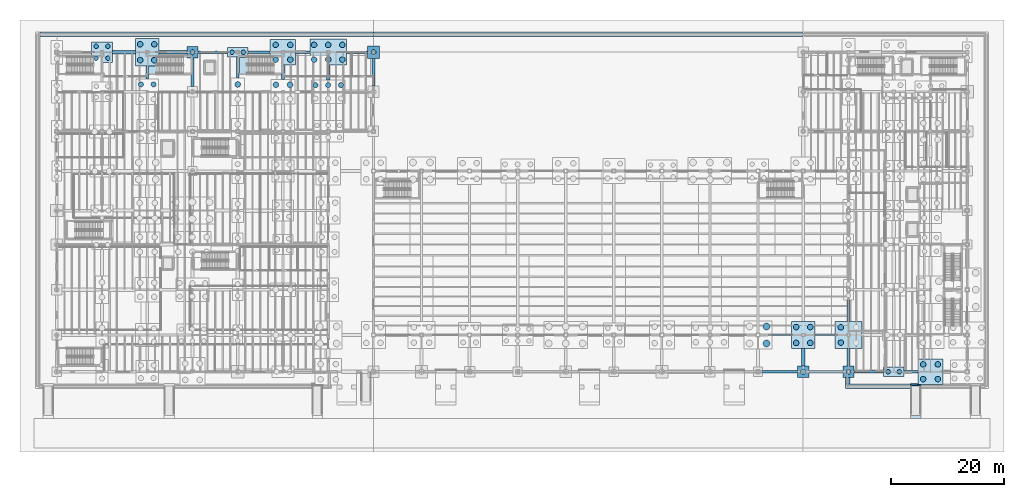
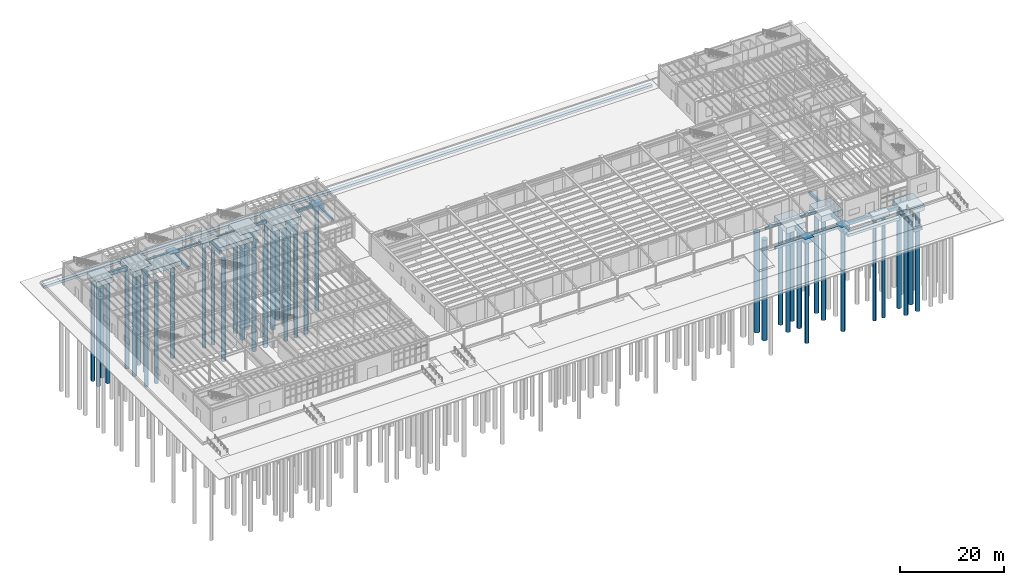
# One storey, part 7 of 86: 46 piles, 42 footings.
"""IFC4 building model written with IfcOpenShell, lengths in metres."""

from ifc_helpers import new_model, si_unit, direction, frame, origin, origin_2d, place, context, subcontext, project, spatial, polyline, rectangle, circle, outline, extrude, material, material_profile, profile_set, type_object, element, save


model = new_model("IFC4")

# Units and contexts
model_context = context("Model", 3, precision=1e-05, world=origin(), true_north=direction((0.0, 1.0)))
body_context = subcontext(model_context, "Body", "Model", "MODEL_VIEW")
ifc_project = project(units=[si_unit("LENGTHUNIT", "METRE"), si_unit("AREAUNIT", "SQUARE_METRE"), si_unit("VOLUMEUNIT", "CUBIC_METRE"), si_unit("PLANEANGLEUNIT", "RADIAN"), si_unit("MASSUNIT", "GRAM", prefix="KILO"), si_unit("THERMODYNAMICTEMPERATUREUNIT", "KELVIN"), si_unit("POWERUNIT", "WATT")], contexts=[model_context])

# Site, building, storey
site_placement = place(None, origin())
site = spatial("IfcSite", under=ifc_project, at=site_placement, CompositionType="ELEMENT")
building_placement = place(site_placement, origin())
building = spatial("IfcBuilding", under=site, at=building_placement, Name="Zhenchuan Central Fire Station", CompositionType="ELEMENT")
storey_placement = place(building_placement, frame((0.0, 0.0, 0.449951171875)))
storey = spatial("IfcBuildingStorey", under=building, at=storey_placement, Name="L01", CompositionType="ELEMENT", Elevation=0.449951171875)

# Footings
ifc_material_1 = material(Name="Concrete C35/45", Category="concrete")
footing_type_1 = type_object("IfcFootingType", Name="FB-380x550", PredefinedType="FOOTING_BEAM", material=ifc_material_1)
footing_1_placement = place(storey_placement, frame((0.0, 0.0, -1.0)))
element("IfcFooting", 1, at=footing_1_placement, inside=storey, type_object=footing_type_1, Name="Foundation Tie Beam FB-X-036", PredefinedType="FOOTING_BEAM", context=body_context, shape_type="SweptSolid", body=[
    extrude(outline(polyline([(126.449951171875, 6.31005859375), (129.89990234375, 6.31005859375), (129.89990234375, 6.68994140625), (126.449951171875, 6.68994140625), (126.449951171875, 6.31005859375)])), origin(), (0.0, 0.0, 1.0), 0.550048828125),
])
footing_2_placement = place(storey_placement, frame((0.0, 0.0, -1.0)))
element("IfcFooting", 2, at=footing_2_placement, inside=storey, type_object=footing_type_1, Name="Foundation Tie Beam FB-X-113", PredefinedType="FOOTING_BEAM", context=body_context, shape_type="SweptSolid", body=[
    extrude(outline(polyline([(25.0, 56.31005859375), (30.199951171875, 56.31005859375), (30.199951171875, 56.68994140625), (25.0, 56.68994140625), (25.0, 56.31005859375)])), origin(), (0.0, 0.0, 1.0), 0.550048828125),
])
footing_type_2 = type_object("IfcFootingType", Name="FB-400x600", PredefinedType="FOOTING_BEAM", material=ifc_material_1)
footing_3_placement = place(storey_placement, frame((0.0, 0.0, -1.050048828125)))
element("IfcFooting", 3, at=footing_3_placement, inside=storey, type_object=footing_type_2, Name="Foundation Tie Beam FB-X-016", PredefinedType="FOOTING_BEAM", context=body_context, shape_type="SweptSolid", body=[
    extrude(outline(polyline([(124.800048828125, -0.199951171875), (131.0, -0.199951171875), (131.0, 0.199951171875), (124.800048828125, 0.199951171875), (124.800048828125, -0.199951171875)])), origin(), (0.0, 0.0, 1.0), 0.60009765625),
])
footing_4_placement = place(storey_placement, frame((0.0, 0.0, -1.050048828125)))
element("IfcFooting", 4, at=footing_4_placement, inside=storey, type_object=footing_type_2, Name="Foundation Tie Beam FB-X-037", PredefinedType="FOOTING_BEAM", context=body_context, shape_type="SweptSolid", body=[
    extrude(outline(polyline([(134.10009765625, 6.300048828125), (137.64990234375, 6.300048828125), (137.64990234375, 6.699951171875), (134.10009765625, 6.699951171875), (134.10009765625, 6.300048828125)])), origin(), (0.0, 0.0, 1.0), 0.60009765625),
])
footing_5_placement = place(storey_placement, frame((0.0, 0.0, -1.050048828125)))
element("IfcFooting", 5, at=footing_5_placement, inside=storey, type_object=footing_type_2, Name="Foundation Tie Beam FB-X-114", PredefinedType="FOOTING_BEAM", context=body_context, shape_type="SweptSolid", body=[
    extrude(outline(polyline([(33.800048828125, 56.300048828125), (37.75, 56.300048828125), (37.75, 56.699951171875), (33.800048828125, 56.699951171875), (33.800048828125, 56.300048828125)])), origin(), (0.0, 0.0, 1.0), 0.60009765625),
])
footing_type_3 = type_object("IfcFootingType", Name="FB-450x650", PredefinedType="FOOTING_BEAM", material=ifc_material_1)
footing_6_placement = place(storey_placement, frame((0.0, 0.0, -1.099853515625)))
element("IfcFooting", 6, at=footing_6_placement, inside=storey, type_object=footing_type_3, Name="Foundation Tie Beam FB-X-017", PredefinedType="FOOTING_BEAM", context=body_context, shape_type="SweptSolid", body=[
    extrude(outline(polyline([(133.0, -0.22509765625), (139.0, -0.22509765625), (139.0, 0.22509765625), (133.0, 0.22509765625), (133.0, -0.22509765625)])), origin(), (0.0, 0.0, 1.0), 0.64990234375),
])
footing_7_placement = place(storey_placement, frame((0.0, 0.0, -1.099853515625)))
element("IfcFooting", 7, at=footing_7_placement, inside=storey, type_object=footing_type_3, Name="Foundation Tie Beam FB-X-115", PredefinedType="FOOTING_BEAM", context=body_context, shape_type="SweptSolid", body=[
    extrude(outline(polyline([(42.25, 56.27490234375), (44.75, 56.27490234375), (44.75, 56.72509765625), (42.25, 56.72509765625), (42.25, 56.27490234375)])), origin(), (0.0, 0.0, 1.0), 0.64990234375),
])
footing_8_placement = place(storey_placement, frame((0.0, 0.0, -1.099853515625)))
element("IfcFooting", 8, at=footing_8_placement, inside=storey, type_object=footing_type_3, Name="Foundation Tie Beam FB-Y-143", PredefinedType="FOOTING_BEAM", context=body_context, shape_type="SweptSolid", body=[
    extrude(outline(polyline([(15.77490234375, 51.75), (16.22509765625, 51.75), (16.22509765625, 54.10009765625), (15.77490234375, 54.10009765625), (15.77490234375, 51.75)])), origin(), (0.0, 0.0, 1.0), 0.64990234375),
])
footing_9_placement = place(storey_placement, frame((0.0, 0.0, -1.099853515625)))
element("IfcFooting", 9, at=footing_9_placement, inside=storey, type_object=footing_type_3, Name="Foundation Tie Beam FB-Y-192", PredefinedType="FOOTING_BEAM", context=body_context, shape_type="SweptSolid", body=[
    extrude(outline(polyline([(139.77490234375, 1.0), (140.22509765625, 1.0), (140.22509765625, 4.14990234375), (139.77490234375, 4.14990234375), (139.77490234375, 1.0)])), origin(), (0.0, 0.0, 1.0), 0.64990234375),
])
footing_type_4 = type_object("IfcFootingType", Name="FB-500x700", PredefinedType="FOOTING_BEAM", material=ifc_material_1)
footing_10_placement = place(storey_placement, frame((0.0, 0.0, -1.14990234375)))
element("IfcFooting", 10, at=footing_10_placement, inside=storey, type_object=footing_type_4, Name="Foundation Tie Beam FB-X-018", PredefinedType="FOOTING_BEAM", context=body_context, shape_type="SweptSolid", body=[
    extrude(outline(polyline([(141.0, -0.25), (146.199951171875, -0.25), (146.199951171875, 0.25), (141.0, 0.25), (141.0, -0.25)])), origin(), (0.0, 0.0, 1.0), 0.699951171875),
])
footing_11_placement = place(storey_placement, frame((0.0, 0.0, -1.14990234375)))
element("IfcFooting", 11, at=footing_11_placement, inside=storey, type_object=footing_type_4, Name="Foundation Tie Beam FB-X-116", PredefinedType="FOOTING_BEAM", context=body_context, shape_type="SweptSolid", body=[
    extrude(outline(polyline([(51.25, 56.25), (54.925048828125, 56.25), (54.925048828125, 56.75), (51.25, 56.75), (51.25, 56.25)])), origin(), (0.0, 0.0, 1.0), 0.699951171875),
])
footing_12_placement = place(storey_placement, frame((0.0, 0.0, -1.14990234375)))
element("IfcFooting", 12, at=footing_12_placement, inside=storey, type_object=footing_type_4, Name="Foundation Tie Beam FB-Y-151", PredefinedType="FOOTING_BEAM", context=body_context, shape_type="SweptSolid", body=[
    extrude(outline(polyline([(23.75, 50.425048828125), (24.25, 50.425048828125), (24.25, 55.5), (23.75, 55.5), (23.75, 50.425048828125)])), origin(), (0.0, 0.0, 1.0), 0.699951171875),
])
footing_13_placement = place(storey_placement, frame((0.0, 0.0, -1.14990234375)))
element("IfcFooting", 13, at=footing_13_placement, inside=storey, type_object=footing_type_4, Name="Foundation Tie Beam FB-Y-179", PredefinedType="FOOTING_BEAM", context=body_context, shape_type="SweptSolid", body=[
    extrude(outline(polyline([(55.75, 50.5), (56.25, 50.5), (56.25, 55.425048828125), (55.75, 55.425048828125), (55.75, 50.5)])), origin(), (0.0, 0.0, 1.0), 0.699951171875),
])
footing_14_placement = place(storey_placement, frame((0.0, 0.0, -1.14990234375)))
element("IfcFooting", 14, at=footing_14_placement, inside=storey, type_object=footing_type_4, Name="Foundation Tie Beam FB-Y-193", PredefinedType="FOOTING_BEAM", context=body_context, shape_type="SweptSolid", body=[
    extrude(outline(polyline([(139.75, 8.85009765625), (140.25, 8.85009765625), (140.25, 12.699951171875), (139.75, 12.699951171875), (139.75, 8.85009765625)])), origin(), (0.0, 0.0, 1.0), 0.699951171875),
])
footing_type_5 = type_object("IfcFootingType", Name="FB-500x800", PredefinedType="FOOTING_BEAM", material=ifc_material_1)
footing_15_placement = place(storey_placement, frame((0.0, 0.0, -1.25)))
element("IfcFooting", 15, at=footing_15_placement, inside=storey, type_object=footing_type_5, Name="Foundation Tie Beam FB-X-019", PredefinedType="FOOTING_BEAM", context=body_context, shape_type="SweptSolid", body=[
    extrude(outline(polyline([(149.800048828125, -0.25), (152.25, -0.25), (152.25, 0.25), (149.800048828125, 0.25), (149.800048828125, -0.25)])), origin(), (0.0, 0.0, 1.0), 0.800048828125),
])
footing_16_placement = place(storey_placement, frame((0.0, 0.0, -1.25)))
element("IfcFooting", 16, at=footing_16_placement, inside=storey, type_object=footing_type_5, Name="Foundation Tie Beam FB-Y-159", PredefinedType="FOOTING_BEAM", context=body_context, shape_type="SweptSolid", body=[
    extrude(outline(polyline([(31.75, 51.89990234375), (32.25, 51.89990234375), (32.25, 55.625), (31.75, 55.625), (31.75, 51.89990234375)])), origin(), (0.0, 0.0, 1.0), 0.800048828125),
])
footing_type_6 = type_object("IfcFootingType", Name="FB-550x850", PredefinedType="FOOTING_BEAM", material=ifc_material_1)
footing_17_placement = place(storey_placement, frame((0.0, 0.0, -1.300048828125)))
element("IfcFooting", 17, at=footing_17_placement, inside=storey, type_object=footing_type_6, Name="Foundation Tie Beam FB-X-111", PredefinedType="FOOTING_BEAM", context=body_context, shape_type="SweptSolid", body=[
    extrude(outline(polyline([(9.85009765625, 56.22509765625), (13.89990234375, 56.22509765625), (13.89990234375, 56.77490234375), (9.85009765625, 56.77490234375), (9.85009765625, 56.22509765625)])), origin(), (0.0, 0.0, 1.0), 0.85009765625),
])
footing_18_placement = place(storey_placement, frame((0.0, 0.0, -1.300048828125)))
element("IfcFooting", 18, at=footing_18_placement, inside=storey, type_object=footing_type_6, Name="Foundation Tie Beam FB-Y-167", PredefinedType="FOOTING_BEAM", context=body_context, shape_type="SweptSolid", body=[
    extrude(outline(polyline([(39.72509765625, 51.64990234375), (40.27490234375, 51.64990234375), (40.27490234375, 54.25), (39.72509765625, 54.25), (39.72509765625, 51.64990234375)])), origin(), (0.0, 0.0, 1.0), 0.85009765625),
])
footing_19_placement = place(storey_placement, frame((0.0, 0.0, -1.300048828125)))
element("IfcFooting", 19, at=footing_19_placement, inside=storey, type_object=footing_type_6, Name="Foundation Tie Beam FB-Y-188", PredefinedType="FOOTING_BEAM", context=body_context, shape_type="SweptSolid", body=[
    extrude(outline(polyline([(131.72509765625, 1.0), (132.27490234375, 1.0), (132.27490234375, 4.10009765625), (131.72509765625, 4.10009765625), (131.72509765625, 1.0)])), origin(), (0.0, 0.0, 1.0), 0.85009765625),
])
footing_type_7 = type_object("IfcFootingType", Name="FB-600x900", PredefinedType="FOOTING_BEAM", material=ifc_material_1)
footing_20_placement = place(storey_placement, frame((0.0, 0.0, -1.349853515625)))
element("IfcFooting", 20, at=footing_20_placement, inside=storey, type_object=footing_type_7, Name="Foundation Tie Beam FB-X-112", PredefinedType="FOOTING_BEAM", context=body_context, shape_type="SweptSolid", body=[
    extrude(outline(polyline([(18.10009765625, 56.199951171875), (23.0, 56.199951171875), (23.0, 56.800048828125), (18.10009765625, 56.800048828125), (18.10009765625, 56.199951171875)])), origin(), (0.0, 0.0, 1.0), 0.89990234375),
])
footing_21_placement = place(storey_placement, frame((0.0, 0.0, -1.349853515625)))
element("IfcFooting", 21, at=footing_21_placement, inside=storey, type_object=footing_type_7, Name="Foundation Tie Beam FB-Y-175", PredefinedType="FOOTING_BEAM", context=body_context, shape_type="SweptSolid", body=[
    extrude(outline(polyline([(47.699951171875, 51.60009765625), (48.300048828125, 51.60009765625), (48.300048828125, 54.199951171875), (47.699951171875, 54.199951171875), (47.699951171875, 51.60009765625)])), origin(), (0.0, 0.0, 1.0), 0.89990234375),
])
ifc_material_2 = material(Name="Concrete C40/50", Category="concrete")
footing_type_8 = type_object("IfcFootingType", Name="PAD-CORE", PredefinedType="PAD_FOOTING", material=ifc_material_2)
footing_22_placement = place(storey_placement, frame((0.0, 0.0, -1.300048828125)))
element("IfcFooting", 22, at=footing_22_placement, inside=storey, type_object=footing_type_8, Name="ST-06 Core Foundation Mat Footing", PredefinedType="PAD_FOOTING", context=body_context, shape_type="SweptSolid", body=[
    extrude(outline(polyline([(22.9599609375, 55.925048828125), (22.9599609375, 55.4599609375), (23.7099609375, 55.4599609375), (23.7099609375, 52.574951171875), (16.264892578125, 52.574951171875), (16.264892578125, 54.06005859375), (18.139892578125, 54.06005859375), (18.139892578125, 55.925048828125), (22.9599609375, 55.925048828125)])), origin(), (0.0, 0.0, 1.0), 1.050048828125),
])
footing_23_placement = place(storey_placement, frame((0.0, 0.0, -1.300048828125)))
element("IfcFooting", 23, at=footing_23_placement, inside=storey, type_object=footing_type_8, Name="ST-07 Core Foundation Mat Footing", PredefinedType="PAD_FOOTING", context=body_context, shape_type="SweptSolid", body=[
    extrude(outline(polyline([(37.7099609375, 55.925048828125), (37.7099609375, 54.2099609375), (39.68505859375, 54.2099609375), (39.68505859375, 52.574951171875), (32.2900390625, 52.574951171875), (32.2900390625, 55.5849609375), (33.840087890625, 55.5849609375), (33.840087890625, 55.925048828125), (37.7099609375, 55.925048828125)])), origin(), (0.0, 0.0, 1.0), 1.050048828125),
])
footing_type_9 = type_object("IfcFootingType", Name="PAD-RMP", PredefinedType="PAD_FOOTING", material=ifc_material_1)
footing_24_placement = place(storey_placement, frame((151.89990234375, -8.010009765625, -1.31005859375), z_axis=(0.0, 0.0, 1.0), x_axis=(1.0, 0.0, 0.0)))
element("IfcFooting", 24, at=footing_24_placement, inside=storey, type_object=footing_type_9, Name="Headquarters Accessible Wheelchair Ramp RP-03 Toe Pad Footing", PredefinedType="PAD_FOOTING", context=body_context, shape_type="SweptSolid", body=[
    extrude(rectangle(XDim=1.800048828125, YDim=0.580078125, at=origin_2d()), origin(), (0.0, 0.0, 1.0), 0.60009765625),
])
footing_25_placement = place(storey_placement, frame((0.0, 0.0, -0.849853515625)))
element("IfcFooting", 25, at=footing_25_placement, inside=storey, type_object=footing_type_9, Name="Headquarters Accessible Wheelchair Ramp RP-03 Head Pedestal Footing", PredefinedType="PAD_FOOTING", context=body_context, shape_type="SweptSolid", body=[
    extrude(outline(polyline([(152.800048828125, -2.47998046875), (151.0, -2.47998046875), (151.0, -2.080078125), (152.219970703125, -2.080078125), (152.219970703125, -2.280029296875), (152.800048828125, -2.280029296875), (152.800048828125, -2.47998046875)])), origin(), (0.0, 0.0, 1.0), 0.669921875),
])
footing_type_10 = type_object("IfcFootingType", Name="PC-04", PredefinedType="PILE_CAP", material=ifc_material_2)
for number, where, z_axis, x_axis, name in (
    (26, (24.0, 56.5, -1.550048828125), (0.0, 0.0, 1.0), (1.0, 0.0, 0.0), "Pile Cap PC-04 at (24.0,56.5)"),
    (27, (132.0, 0.0, -1.550048828125), (0.0, 0.0, 1.0), (1.0, 0.0, 0.0), "Pile Cap PC-04 at (132.0,0.0)"),
    (28, (140.0, 0.0, -1.550048828125), (0.0, 0.0, 1.0), (1.0, 0.0, 0.0), "Pile Cap PC-04 at (140.0,0.0)"),
):
    element("IfcFooting", number, at=place(storey_placement, frame(where, z_axis=z_axis, x_axis=x_axis)), inside=storey, type_object=footing_type_10, Name=name, PredefinedType="PILE_CAP", context=body_context, shape_type="SweptSolid", body=[
        extrude(rectangle(XDim=2.0, YDim=2.0, at=origin_2d()), origin(), (0.0, 0.0, 1.0), 1.10009765625),
    ])
footing_type_11 = type_object("IfcFootingType", Name="PC-05", PredefinedType="PILE_CAP", material=ifc_material_2)
footing_26_placement = place(storey_placement, frame((56.0, 56.5, -1.570068359375), z_axis=(0.0, 0.0, 1.0), x_axis=(1.0, 0.0, 0.0)))
element("IfcFooting", 29, at=footing_26_placement, inside=storey, type_object=footing_type_11, Name="Pile Cap PC-05 at (56.0,56.5)", PredefinedType="PILE_CAP", context=body_context, shape_type="SweptSolid", body=[
    extrude(rectangle(XDim=2.14990234375, YDim=2.14990234375, at=origin_2d()), origin(), (0.0, 0.0, 1.0), 1.1201171875),
])
footing_type_12 = type_object("IfcFootingType", Name="PC-13", PredefinedType="PILE_CAP", material=ifc_material_2)
for number, where, z_axis, x_axis, name in (
    (30, (32.0, 56.5, -1.550048828125), (0.0, 0.0, 1.0), (1.0, 0.0, 0.0), "Pile Cap PC-13 at (32.0,56.5)"),
    (31, (148.0, 0.0, -1.550048828125), (0.0, 0.0, 1.0), (1.0, 0.0, 0.0), "Pile Cap PC-13 at (148.0,0.0)"),
):
    element("IfcFooting", number, at=place(storey_placement, frame(where, z_axis=z_axis, x_axis=x_axis)), inside=storey, type_object=footing_type_12, Name=name, PredefinedType="PILE_CAP", context=body_context, shape_type="SweptSolid", body=[
        extrude(rectangle(XDim=3.60009765625, YDim=1.75, at=origin_2d()), origin(), (0.0, 0.0, 1.0), 1.10009765625),
    ])
footing_type_13 = type_object("IfcFootingType", Name="PC-18", PredefinedType="PILE_CAP", material=ifc_material_2)
footing_27_placement = place(storey_placement, frame((8.0, 56.5, -1.64990234375), z_axis=(0.0, 0.0, 1.0), x_axis=(1.0, 0.0, 0.0)))
element("IfcFooting", 32, at=footing_27_placement, inside=storey, type_object=footing_type_13, Name="Pile Cap PC-18 at (8.0,56.5)", PredefinedType="PILE_CAP", context=body_context, shape_type="SweptSolid", body=[
    extrude(rectangle(XDim=3.699951171875, YDim=3.699951171875, at=origin_2d()), origin(), (0.0, 0.0, 1.0), 1.199951171875),
])
footing_type_14 = type_object("IfcFootingType", Name="PC-22", PredefinedType="PILE_CAP", material=ifc_material_2)
for number, where, z_axis, x_axis, name in (
    (33, (40.0, 56.5, -1.849853515625), (0.0, 0.0, 1.0), (1.0, 0.0, 0.0), "Pile Cap PC-22 at (40.0,56.5)"),
    (34, (154.5, 0.0, -1.849853515625), (0.0, 0.0, 1.0), (1.0, 0.0, 0.0), "Pile Cap PC-22 at (154.5,0.0)"),
):
    element("IfcFooting", number, at=place(storey_placement, frame(where, z_axis=z_axis, x_axis=x_axis)), inside=storey, type_object=footing_type_14, Name=name, PredefinedType="PILE_CAP", context=body_context, shape_type="SweptSolid", body=[
        extrude(rectangle(XDim=4.5, YDim=4.5, at=origin_2d()), origin(), (0.0, 0.0, 1.0), 1.39990234375),
    ])
footing_type_15 = type_object("IfcFootingType", Name="PC-23", PredefinedType="PILE_CAP", material=ifc_material_2)
footing_28_placement = place(storey_placement, frame((140.0, 6.5, -1.89990234375), z_axis=(0.0, 0.0, 1.0), x_axis=(1.0, 0.0, 0.0)))
element("IfcFooting", 35, at=footing_28_placement, inside=storey, type_object=footing_type_15, Name="Pile Cap PC-23 at (140.0,6.5)", PredefinedType="PILE_CAP", context=body_context, shape_type="SweptSolid", body=[
    extrude(rectangle(XDim=4.699951171875, YDim=4.699951171875, at=origin_2d()), origin(), (0.0, 0.0, 1.0), 1.449951171875),
])
footing_type_16 = type_object("IfcFootingType", Name="PC-27", PredefinedType="PILE_CAP", material=ifc_material_2)
for number, where, z_axis, x_axis, name in (
    (36, (16.0, 56.5, -1.800048828125), (0.0, 0.0, 1.0), (1.0, 0.0, 0.0), "Pile Cap PC-27 at (16.0,56.5)"),
    (37, (132.0, 6.5, -1.800048828125), (0.0, 0.0, 1.0), (1.0, 0.0, 0.0), "Pile Cap PC-27 at (132.0,6.5)"),
):
    element("IfcFooting", number, at=place(storey_placement, frame(where, z_axis=z_axis, x_axis=x_axis)), inside=storey, type_object=footing_type_16, Name=name, PredefinedType="PILE_CAP", context=body_context, shape_type="SweptSolid", body=[
        extrude(rectangle(XDim=4.199951171875, YDim=4.800048828125, at=origin_2d()), origin(), (0.0, 0.0, 1.0), 1.35009765625),
    ])
footing_type_17 = type_object("IfcFootingType", Name="PC-31", PredefinedType="PILE_CAP", material=ifc_material_2)
footing_29_placement = place(storey_placement, frame((48.0, 56.5, -1.949951171875), z_axis=(0.0, 0.0, 1.0), x_axis=(1.0, 0.0, 0.0)))
element("IfcFooting", 38, at=footing_29_placement, inside=storey, type_object=footing_type_17, Name="Pile Cap PC-31 at (48.0,56.5)", PredefinedType="PILE_CAP", context=body_context, shape_type="SweptSolid", body=[
    extrude(rectangle(XDim=6.5, YDim=4.60009765625, at=origin_2d()), origin(), (0.0, 0.0, 1.0), 1.5),
])

# Piles
ifc_material_profile_1 = material_profile(ifc_material_1, circle(Radius=0.5, at=origin_2d()), Name="PILE D1000")
ifc_profile_set_1 = profile_set([ifc_material_profile_1], Name="Concrete C35/45")
pile_type_1 = type_object("IfcPileType", Name="PILE-D1000", PredefinedType="BORED", material=ifc_profile_set_1)
for number, where, z_axis, x_axis, name in (
    (39, (14.75, 55.10009765625, -1.699951171875), (0.0, 0.0, -1.0), (1.0, 0.0, 0.0), "Bored Pile 027-1"),
    (40, (17.25, 55.10009765625, -1.699951171875), (0.0, 0.0, -1.0), (1.0, 0.0, 0.0), "Bored Pile 027-2"),
    (41, (14.75, 57.89990234375, -1.699951171875), (0.0, 0.0, -1.0), (1.0, 0.0, 0.0), "Bored Pile 027-3"),
    (42, (17.25, 57.89990234375, -1.699951171875), (0.0, 0.0, -1.0), (1.0, 0.0, 0.0), "Bored Pile 027-4"),
):
    element("IfcPile", number, at=place(storey_placement, frame(where, z_axis=z_axis, x_axis=x_axis)), inside=storey, type_object=pile_type_1, Name=name, PredefinedType="BORED", context=body_context, shape_type="SweptSolid", body=[
        extrude(circle(Radius=0.5, at=origin_2d()), origin(), (0.0, 0.0, 1.0), 23.75),
    ])
pile_1_placement = place(storey_placement, frame((32.0, 50.800048828125, -1.669921875), z_axis=(0.0, 0.0, -1.0), x_axis=(1.0, 0.0, 0.0)))
element("IfcPile", 43, at=pile_1_placement, inside=storey, type_object=pile_type_1, Name="Bored Pile 044-2", PredefinedType="BORED", context=body_context, shape_type="SweptSolid", body=[
    extrude(circle(Radius=0.5, at=origin_2d()), origin(), (0.0, 0.0, 1.0), 23.780029296875),
])
for number, where, z_axis, x_axis, name in (
    (44, (38.75, 50.75, -1.699951171875), (0.0, 0.0, -1.0), (1.0, 0.0, 0.0), "Bored Pile 053-3"),
    (45, (41.25, 50.75, -1.699951171875), (0.0, 0.0, -1.0), (1.0, 0.0, 0.0), "Bored Pile 053-4"),
):
    element("IfcPile", number, at=place(storey_placement, frame(where, z_axis=z_axis, x_axis=x_axis)), inside=storey, type_object=pile_type_1, Name=name, PredefinedType="BORED", context=body_context, shape_type="SweptSolid", body=[
        extrude(circle(Radius=0.5, at=origin_2d()), origin(), (0.0, 0.0, 1.0), 23.75),
    ])
for number, where, z_axis, x_axis, name in (
    (46, (38.699951171875, 55.199951171875, -1.75), (0.0, 0.0, -1.0), (1.0, 0.0, 0.0), "Bored Pile 054-1"),
    (47, (41.300048828125, 55.199951171875, -1.75), (0.0, 0.0, -1.0), (1.0, 0.0, 0.0), "Bored Pile 054-2"),
    (48, (38.699951171875, 57.800048828125, -1.75), (0.0, 0.0, -1.0), (1.0, 0.0, 0.0), "Bored Pile 054-3"),
    (49, (41.300048828125, 57.800048828125, -1.75), (0.0, 0.0, -1.0), (1.0, 0.0, 0.0), "Bored Pile 054-4"),
):
    element("IfcPile", number, at=place(storey_placement, frame(where, z_axis=z_axis, x_axis=x_axis)), inside=storey, type_object=pile_type_1, Name=name, PredefinedType="BORED", context=body_context, shape_type="SweptSolid", body=[
        extrude(circle(Radius=0.5, at=origin_2d()), origin(), (0.0, 0.0, 1.0), 23.699951171875),
    ])
for number, where, z_axis, x_axis, name in (
    (50, (45.5, 55.199951171875, -1.849853515625), (0.0, 0.0, -1.0), (1.0, 0.0, 0.0), "Bored Pile 063-1"),
    (51, (48.0, 55.199951171875, -1.849853515625), (0.0, 0.0, -1.0), (1.0, 0.0, 0.0), "Bored Pile 063-2"),
    (52, (50.5, 55.199951171875, -1.849853515625), (0.0, 0.0, -1.0), (1.0, 0.0, 0.0), "Bored Pile 063-3"),
    (53, (45.5, 57.800048828125, -1.849853515625), (0.0, 0.0, -1.0), (1.0, 0.0, 0.0), "Bored Pile 063-4"),
    (54, (48.0, 57.800048828125, -1.849853515625), (0.0, 0.0, -1.0), (1.0, 0.0, 0.0), "Bored Pile 063-5"),
    (55, (50.5, 57.800048828125, -1.849853515625), (0.0, 0.0, -1.0), (1.0, 0.0, 0.0), "Bored Pile 063-6"),
):
    element("IfcPile", number, at=place(storey_placement, frame(where, z_axis=z_axis, x_axis=x_axis)), inside=storey, type_object=pile_type_1, Name=name, PredefinedType="BORED", context=body_context, shape_type="SweptSolid", body=[
        extrude(circle(Radius=0.5, at=origin_2d()), origin(), (0.0, 0.0, 1.0), 23.60009765625),
    ])
for number, where, z_axis, x_axis, name in (
    (56, (130.75, 5.10009765625, -1.699951171875), (0.0, 0.0, -1.0), (1.0, 0.0, 0.0), "Bored Pile 095-1"),
    (57, (133.25, 5.10009765625, -1.699951171875), (0.0, 0.0, -1.0), (1.0, 0.0, 0.0), "Bored Pile 095-2"),
    (58, (130.75, 7.89990234375, -1.699951171875), (0.0, 0.0, -1.0), (1.0, 0.0, 0.0), "Bored Pile 095-3"),
    (59, (133.25, 7.89990234375, -1.699951171875), (0.0, 0.0, -1.0), (1.0, 0.0, 0.0), "Bored Pile 095-4"),
):
    element("IfcPile", number, at=place(storey_placement, frame(where, z_axis=z_axis, x_axis=x_axis)), inside=storey, type_object=pile_type_1, Name=name, PredefinedType="BORED", context=body_context, shape_type="SweptSolid", body=[
        extrude(circle(Radius=0.5, at=origin_2d()), origin(), (0.0, 0.0, 1.0), 23.75),
    ])
for number, where, z_axis, x_axis, name in (
    (60, (138.64990234375, 5.14990234375, -1.800048828125), (0.0, 0.0, -1.0), (1.0, 0.0, 0.0), "Bored Pile 101-1"),
    (61, (138.64990234375, 7.85009765625, -1.800048828125), (0.0, 0.0, -1.0), (1.0, 0.0, 0.0), "Bored Pile 101-3"),
):
    element("IfcPile", number, at=place(storey_placement, frame(where, z_axis=z_axis, x_axis=x_axis)), inside=storey, type_object=pile_type_1, Name=name, PredefinedType="BORED", context=body_context, shape_type="SweptSolid", body=[
        extrude(circle(Radius=0.5, at=origin_2d()), origin(), (0.0, 0.0, 1.0), 23.64990234375),
    ])
for number, where, z_axis, x_axis, name in (
    (62, (153.199951171875, -1.300048828125, -1.75), (0.0, 0.0, -1.0), (1.0, 0.0, 0.0), "Bored Pile 118-1"),
    (63, (155.800048828125, -1.300048828125, -1.75), (0.0, 0.0, -1.0), (1.0, 0.0, 0.0), "Bored Pile 118-2"),
    (64, (153.199951171875, 1.300048828125, -1.75), (0.0, 0.0, -1.0), (1.0, 0.0, 0.0), "Bored Pile 118-3"),
    (65, (155.800048828125, 1.300048828125, -1.75), (0.0, 0.0, -1.0), (1.0, 0.0, 0.0), "Bored Pile 118-4"),
):
    element("IfcPile", number, at=place(storey_placement, frame(where, z_axis=z_axis, x_axis=x_axis)), inside=storey, type_object=pile_type_1, Name=name, PredefinedType="BORED", context=body_context, shape_type="SweptSolid", body=[
        extrude(circle(Radius=0.5, at=origin_2d()), origin(), (0.0, 0.0, 1.0), 23.699951171875),
    ])
ifc_material_profile_2 = material_profile(ifc_material_1, circle(Radius=0.60009765625, at=origin_2d()), Name="PILE D1200")
ifc_profile_set_2 = profile_set([ifc_material_profile_2], Name="Concrete C35/45")
pile_type_2 = type_object("IfcPileType", Name="PILE-D1200", PredefinedType="BORED", material=ifc_profile_set_2)
for number, where, z_axis, x_axis, name in (
    (66, (125.5, 5.0, -1.849853515625), (0.0, 0.0, -1.0), (1.0, 0.0, 0.0), "Bored Pile 092-2"),
    (67, (125.5, 8.0, -1.849853515625), (0.0, 0.0, -1.0), (1.0, 0.0, 0.0), "Bored Pile 092-4"),
):
    element("IfcPile", number, at=place(storey_placement, frame(where, z_axis=z_axis, x_axis=x_axis)), inside=storey, type_object=pile_type_2, Name=name, PredefinedType="BORED", context=body_context, shape_type="SweptSolid", body=[
        extrude(circle(Radius=0.60009765625, at=origin_2d()), origin(), (0.0, 0.0, 1.0), 23.60009765625),
    ])
ifc_material_profile_3 = material_profile(ifc_material_1, circle(Radius=0.39990234375, at=origin_2d()), Name="PILE D800")
ifc_profile_set_3 = profile_set([ifc_material_profile_3], Name="Concrete C35/45")
pile_type_3 = type_object("IfcPileType", Name="PILE-D800", PredefinedType="BORED", material=ifc_profile_set_3)
for number, where, z_axis, x_axis, name in (
    (68, (6.949951171875, 55.449951171875, -1.550048828125), (0.0, 0.0, -1.0), (1.0, 0.0, 0.0), "Bored Pile 018-1"),
    (69, (9.050048828125, 55.449951171875, -1.550048828125), (0.0, 0.0, -1.0), (1.0, 0.0, 0.0), "Bored Pile 018-2"),
    (70, (6.949951171875, 57.550048828125, -1.550048828125), (0.0, 0.0, -1.0), (1.0, 0.0, 0.0), "Bored Pile 018-3"),
    (71, (9.050048828125, 57.550048828125, -1.550048828125), (0.0, 0.0, -1.0), (1.0, 0.0, 0.0), "Bored Pile 018-4"),
):
    element("IfcPile", number, at=place(storey_placement, frame(where, z_axis=z_axis, x_axis=x_axis)), inside=storey, type_object=pile_type_3, Name=name, PredefinedType="BORED", context=body_context, shape_type="SweptSolid", body=[
        extrude(circle(Radius=0.39990234375, at=origin_2d()), origin(), (0.0, 0.0, 1.0), 23.89990234375),
    ])
for number, where, z_axis, x_axis, name in (
    (72, (31.0, 56.5, -1.449951171875), (0.0, 0.0, -1.0), (1.0, 0.0, 0.0), "Bored Pile 045-1"),
    (73, (33.0, 56.5, -1.449951171875), (0.0, 0.0, -1.0), (1.0, 0.0, 0.0), "Bored Pile 045-2"),
    (74, (147.0, 0.0, -1.449951171875), (0.0, 0.0, -1.0), (1.0, 0.0, 0.0), "Bored Pile 109-1"),
    (75, (149.0, 0.0, -1.449951171875), (0.0, 0.0, -1.0), (1.0, 0.0, 0.0), "Bored Pile 109-2"),
):
    element("IfcPile", number, at=place(storey_placement, frame(where, z_axis=z_axis, x_axis=x_axis)), inside=storey, type_object=pile_type_3, Name=name, PredefinedType="BORED", context=body_context, shape_type="SweptSolid", body=[
        extrude(circle(Radius=0.39990234375, at=origin_2d()), origin(), (0.0, 0.0, 1.0), 24.0),
    ])
ifc_material_profile_4 = material_profile(ifc_material_1, circle(Radius=0.449951171875, at=origin_2d()), Name="PILE D900")
ifc_profile_set_4 = profile_set([ifc_material_profile_4], Name="Concrete C35/45")
pile_type_4 = type_object("IfcPileType", Name="PILE-D900", PredefinedType="BORED", material=ifc_profile_set_4)
for number, where, z_axis, x_axis, name in (
    (76, (14.875, 50.800048828125, -1.64990234375), (0.0, 0.0, -1.0), (1.0, 0.0, 0.0), "Bored Pile 026-3"),
    (77, (17.125, 50.800048828125, -1.64990234375), (0.0, 0.0, -1.0), (1.0, 0.0, 0.0), "Bored Pile 026-4"),
):
    element("IfcPile", number, at=place(storey_placement, frame(where, z_axis=z_axis, x_axis=x_axis)), inside=storey, type_object=pile_type_4, Name=name, PredefinedType="BORED", context=body_context, shape_type="SweptSolid", body=[
        extrude(circle(Radius=0.449951171875, at=origin_2d()), origin(), (0.0, 0.0, 1.0), 23.800048828125),
    ])
pile_2_placement = place(storey_placement, frame((24.0, 56.5, -1.449951171875), z_axis=(0.0, 0.0, -1.0), x_axis=(1.0, 0.0, 0.0)))
element("IfcPile", 78, at=pile_2_placement, inside=storey, type_object=pile_type_4, Name="Bored Pile 036-1", PredefinedType="BORED", context=body_context, shape_type="SweptSolid", body=[
    extrude(circle(Radius=0.449951171875, at=origin_2d()), origin(), (0.0, 0.0, 1.0), 24.0),
])
for number, where, z_axis, x_axis, name in (
    (79, (45.75, 50.679931640625, -1.800048828125), (0.0, 0.0, -1.0), (1.0, 0.0, 0.0), "Bored Pile 062-4"),
    (80, (48.0, 50.679931640625, -1.800048828125), (0.0, 0.0, -1.0), (1.0, 0.0, 0.0), "Bored Pile 062-5"),
    (81, (50.25, 50.679931640625, -1.800048828125), (0.0, 0.0, -1.0), (1.0, 0.0, 0.0), "Bored Pile 062-6"),
):
    element("IfcPile", number, at=place(storey_placement, frame(where, z_axis=z_axis, x_axis=x_axis)), inside=storey, type_object=pile_type_4, Name=name, PredefinedType="BORED", context=body_context, shape_type="SweptSolid", body=[
        extrude(circle(Radius=0.449951171875, at=origin_2d()), origin(), (0.0, 0.0, 1.0), 23.64990234375),
    ])
pile_3_placement = place(storey_placement, frame((56.0, 56.5, -1.469970703125), z_axis=(0.0, 0.0, -1.0), x_axis=(1.0, 0.0, 0.0)))
element("IfcPile", 82, at=pile_3_placement, inside=storey, type_object=pile_type_4, Name="Bored Pile 069-1", PredefinedType="BORED", context=body_context, shape_type="SweptSolid", body=[
    extrude(circle(Radius=0.449951171875, at=origin_2d()), origin(), (0.0, 0.0, 1.0), 23.97998046875),
])
for number, where, z_axis, x_axis, name in (
    (83, (132.0, 0.0, -1.449951171875), (0.0, 0.0, -1.0), (1.0, 0.0, 0.0), "Bored Pile 094-1"),
    (84, (140.0, 0.0, -1.449951171875), (0.0, 0.0, -1.0), (1.0, 0.0, 0.0), "Bored Pile 100-1"),
):
    element("IfcPile", number, at=place(storey_placement, frame(where, z_axis=z_axis, x_axis=x_axis)), inside=storey, type_object=pile_type_4, Name=name, PredefinedType="BORED", context=body_context, shape_type="SweptSolid", body=[
        extrude(circle(Radius=0.449951171875, at=origin_2d()), origin(), (0.0, 0.0, 1.0), 24.0),
    ])

# Footings
footing_type_18 = type_object("IfcFootingType", Name="SF-800x600", PredefinedType="STRIP_FOOTING", material=ifc_material_1)
footing_30_placement = place(storey_placement, frame((0.0, 0.0, -1.599853515625)))
element("IfcFooting", 85, at=footing_30_placement, inside=storey, type_object=footing_type_18, Name="Plinth Perimeter Strip Footing NORTH-W 03", PredefinedType="STRIP_FOOTING", context=body_context, shape_type="SweptSolid", body=[
    extrude(outline(polyline([(-2.9580078125, 59.261962890625), (-2.9580078125, 60.06201171875), (55.97509765625, 60.06201171875), (55.97509765625, 59.261962890625), (-2.9580078125, 59.261962890625)])), origin(), (0.0, 0.0, 1.0), 0.599853515625),
])
footing_31_placement = place(storey_placement, frame((0.0, 0.0, -1.599853515625)))
element("IfcFooting", 86, at=footing_31_placement, inside=storey, type_object=footing_type_18, Name="Plinth Perimeter Strip Footing NORTH-C 04", PredefinedType="STRIP_FOOTING", context=body_context, shape_type="SweptSolid", body=[
    extrude(outline(polyline([(56.02490234375, 59.261962890625), (56.02490234375, 60.06201171875), (131.97509765625, 60.06201171875), (131.97509765625, 59.261962890625), (56.02490234375, 59.261962890625)])), origin(), (0.0, 0.0, 1.0), 0.599853515625),
])
footing_32_placement = place(storey_placement, frame((0.0, 0.0, -1.599853515625)))
element("IfcFooting", 87, at=footing_32_placement, inside=storey, type_object=footing_type_18, Name="Plinth Perimeter Strip Footing SE-RET 10", PredefinedType="STRIP_FOOTING", context=body_context, shape_type="SweptSolid", body=[
    extrude(outline(polyline([(140.238037109375, -2.157958984375), (139.43798828125, -2.157958984375), (139.43798828125, -1.030029296875), (140.238037109375, -1.030029296875), (140.238037109375, -2.157958984375)])), origin(), (0.0, 0.0, 1.0), 0.599853515625),
])
footing_33_placement = place(storey_placement, frame((0.0, 0.0, -1.599853515625)))
element("IfcFooting", 88, at=footing_33_placement, inside=storey, type_object=footing_type_18, Name="Plinth Perimeter Strip Footing SE-1 11", PredefinedType="STRIP_FOOTING", context=body_context, shape_type="SweptSolid", body=[
    extrude(outline(polyline([(139.43798828125, -2.9619140625), (139.43798828125, -2.162109375), (150.97998046875, -2.162109375), (150.97998046875, -2.9619140625), (139.43798828125, -2.9619140625)])), origin(), (0.0, 0.0, 1.0), 0.599853515625),
])

save(model, "model.ifc")
